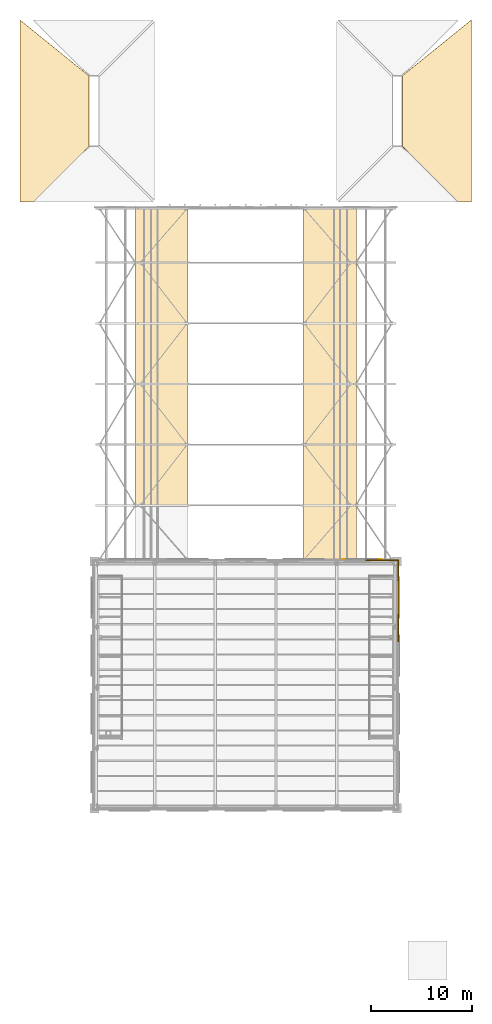
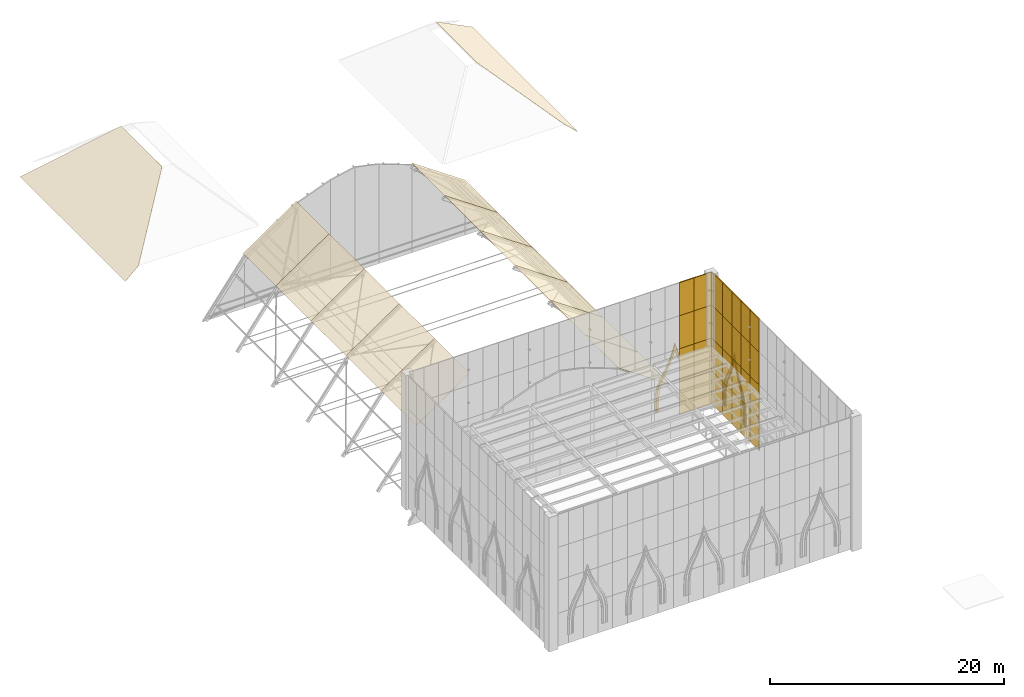
# One storey, part 43 of 43: 46 coverings.
"""IFC4 building model written with IfcOpenShell, lengths in metres."""

from ifc_helpers import new_model, si_unit, direction, frame, origin, origin_2d, place, context, subcontext, project, spatial, polyline, rectangle, outline, extrude, material, layer, layer_set, type_object, element, save


model = new_model("IFC4")

# Units and contexts
model_context = context("Model", 3, precision=1e-05, world=origin(), true_north=direction((0.0, 1.0)))
body_context = subcontext(model_context, "Body", "Model", "MODEL_VIEW")
ifc_project = project(units=[si_unit("LENGTHUNIT", "METRE"), si_unit("AREAUNIT", "SQUARE_METRE"), si_unit("VOLUMEUNIT", "CUBIC_METRE"), si_unit("PLANEANGLEUNIT", "RADIAN"), si_unit("MASSUNIT", "GRAM", prefix="KILO")], contexts=[model_context])

# Site, building, storey
site_placement = place(None, origin())
site = spatial("IfcSite", under=ifc_project, at=site_placement, CompositionType="ELEMENT")
building_placement = place(site_placement, origin())
building = spatial("IfcBuilding", under=site, at=building_placement, Name="Saffron Lane Theatres", CompositionType="ELEMENT")
storey_placement = place(building_placement, frame((0.0, 0.0, 23.0)))
storey = spatial("IfcBuildingStorey", under=building, at=storey_placement, Name="Roof", CompositionType="ELEMENT", Elevation=23.0)

# Coverings
ifc_material_1 = material(Name="Masonry sandstone", Category="masonry")
ifc_layer_1 = layer(ifc_material_1, 0.050048828125)
ifc_layer_set_1 = layer_set([ifc_layer_1], Name="Masonry sandstone")
covering_type_1 = type_object("IfcCoveringType", Name="EX-ARCH FRAME RING SANDSTONE 50", PredefinedType="CLADDING", material=ifc_layer_set_1)
covering_1_placement = place(storey_placement, frame((48.14990234375, 49.360107421875, 2.200927734375), z_axis=(-1.0, 0.0, 0.0), x_axis=(0.0, 0.022997111267, 0.999735531465)))
element("IfcCovering", 1, at=covering_1_placement, inside=storey, type_object=covering_type_1, Name="Tower arch recess ring", PredefinedType="CLADDING", context=body_context, shape_type="SweptSolid", body=[
    extrude(outline(polyline([(0.0, 0.0), (0.38218115301468625, -1.734723475976807e-18), (0.7186530208482582, 0.019366850314774177), (1.0186343483940257, 0.05544643826297682), (1.2869898132143656, 0.1073942450897903), (1.5324780807332044, 0.17378776745953742), (1.7623540583257231, 0.2515296568088426), (1.9834518756015451, 0.3404627063224047), (2.202776749349248, 0.4372511059084794), (2.429104188580111, 0.5412045804038491), (2.6697452459604945, 0.6516665418200038), (2.9314442186341365, 0.7645745664218575), (3.2242587557200446, 0.8818951430329552), (3.5539512356028933, 0.9993442299771961), (3.92979654846717, 1.1167084751480998), (4.357635676105198, 1.233120901674377), (5.015327699382706, 1.3838072212008825), (5.016068817226268, 1.4160252607891064), (4.366001324490871, 1.5967942273293279), (3.9439676199607527, 1.7327564442441374), (3.5739165011461504, 1.8672786903993477), (3.2499732990800325, 1.999763486321328), (2.9628350509323225, 2.1292038038291268), (2.7066327022651064, 2.2552462395065995), (2.4713254475467292, 2.376656532702662), (2.25001739734727, 2.490907053600263), (2.035375040883897, 2.5976780859579662), (1.8186004110288587, 2.696683600709043), (1.5925423132365129, 2.784913430450588), (1.350366617897236, 2.862524781997902), (1.084683668937017, 2.9267571785346833), (0.7866786556407508, 2.9765923628217448), (0.45145321327135296, 3.0114103972689836), (0.06967630635315561, 3.0289838734080146), (-1.1309338204231558, 3.0566017421389713), (-1.1336905542200453, 2.936760397913078), (0.0649669640963737, 2.9091874454150646), (0.44161265927823573, 2.8914877983300227), (0.771008348913546, 2.8580248928690466), (1.0600050061992816, 2.8093737503892937), (1.3186322076088624, 2.7462804794268774), (1.5528207674004981, 2.671783320030293), (1.7720952663452818, 2.5859073816214284), (1.9838116733425173, 2.4899486846716656), (2.1955419607034057, 2.383977254835837), (2.4158793212020364, 2.269993268112194), (2.6521628801503603, 2.14856051679966), (2.9122479876208893, 2.0214519444263543), (3.202264617696377, 1.8897475680517621), (3.5303121965068223, 1.7552147166748848), (3.9042236160082666, 1.618650029593896), (4.332336763859077, 1.4815711452211926), (4.59173814645036, 1.4096686780727894), (4.32930491813541, 1.3497700741784586), (3.8953414309437466, 1.232521706650183), (3.515545984926742, 1.1132946854852734), (3.181659295833679, 0.9939884370761447), (2.88589338794146, 0.8757589305845156), (2.6202386675859732, 0.7607440539311694), (2.3786213059756434, 0.6503045506314862), (2.1532757855038445, 0.5465726940771315), (1.9368966680333337, 0.45044914831410154), (1.7209693641976722, 0.363350802148956), (1.4980005050933094, 0.28862469473167457), (1.26061166370447, 0.2239985013609291), (0.999379320784183, 0.17384048164958885), (0.7084512654818893, 0.13852946035397), (0.37786529567358396, 0.12024824162779892), (0.0008041253369972031, 0.11988626045883645), (-1.197853392979422, 0.1474592129568499), (-1.2006101267763114, 0.027617868730956684), (0.0, 0.0)])), origin(), (0.0, 0.0, -1.0), 0.050048828125),
])
covering_2_placement = place(storey_placement, frame((48.14990234375, 49.10009765625, 2.200927734375), z_axis=(-1.0, 0.0, 0.0), x_axis=(0.0, 0.027312211802, 0.999626951961)))
element("IfcCovering", 2, at=covering_2_placement, inside=storey, type_object=covering_type_1, Name="Tower arch recess ring", PredefinedType="CLADDING", context=body_context, shape_type="SweptSolid", body=[
    extrude(outline(polyline([(0.0, 0.0), (0.40224966782484456, 0.0), (0.7569683522101139, 0.021325663033647923), (1.0741287445550716, 0.06248335251801053), (1.35881587726215, 0.12186874273052645), (1.6190700494014425, 0.1987736898983943), (1.8625674861259525, 0.28810382639053816), (2.095442766258442, 0.39091269943956275), (2.326605698736925, 0.5025607004097316), (2.5641165866928755, 0.6230718341746991), (2.816654525556407, 0.7483012592168254), (3.0903407581093636, 0.8788144236710781), (3.396084165823525, 1.0116267215797745), (3.73970192974778, 1.1451138231589746), (4.131457466973427, 1.2794837706470155), (4.5793177283455035, 1.4113438752340919), (5.367965845758813, 1.6088719789106471), (5.369059401114175, 1.6488961049168909), (4.592373712405251, 1.8891928918208298), (4.152381715175411, 2.0453112548396524), (3.7685211141738404, 2.1998959731527847), (3.432731606269066, 2.352923041886572), (3.1346964302061133, 2.5022320224121297), (2.8685450607724188, 2.6474948481228484), (2.6232219200460913, 2.7863270349024023), (2.3926191012862073, 2.9186512337134616), (2.1679241486534617, 3.043731295097295), (1.9409834067299485, 3.1581265204967868), (1.702753706168462, 3.2615955275713047), (1.4470871321053216, 3.352596669990605), (1.166067410650981, 3.4274385316282965), (0.851627570653509, 3.4858530580619056), (0.4986025634649585, 3.5265159804281714), (0.09695301748147107, 3.5484804398218417), (-1.1035267131570188, 3.5812804324622376), (-1.1089878219133684, 3.3814038519798384), (0.0895395123345729, 3.3486572035031186), (0.4811830268164994, 3.326966132948289), (0.8223029502766167, 3.2885823399750875), (1.1216650624110143, 3.2325336272005174), (1.3878844456533965, 3.1612711589454983), (1.6297735558430695, 3.075531084668762), (1.8552019907263628, 2.9772964736549703), (2.0741757818048376, 2.866293937065284), (2.2948285804350204, 2.745232024810359), (2.5244552009996295, 2.612934498081138), (2.770701195757555, 2.4721232428291975), (3.0417068840857833, 2.3257508585140143), (3.3457366105418473, 2.172370384695872), (3.68949306929166, 2.0159506271522787), (4.08132728915873, 1.8582172695781594), (4.529048855705248, 1.6989569353188092), (4.696888265087821, 1.6472344342183776), (4.526474999807872, 1.6047538094748455), (4.070725136628087, 1.4701784869566512), (3.6708359480459136, 1.3330999895579518), (3.3190778647446724, 1.1966602885192745), (3.0071265299826946, 1.0601098983409696), (2.7285059622896903, 0.9277776979053588), (2.4749651531490464, 0.8015987467497964), (2.2384571354702087, 0.6820371390982651), (2.011496389485317, 0.5722281781708328), (1.7868147728934902, 0.47432430097183365), (1.5563586505837161, 0.38854555217643194), (1.310148663136272, 0.3161415188187424), (1.0404352371730994, 0.2595220234928368), (0.7384592610185687, 0.21990331313053224), (0.3957256766072468, 0.1992271152896419), (0.0035087123658012432, 0.19992992464607567), (-1.1950186218821401, 0.23267657312279538), (-1.2004797306384898, 0.03279999264039589), (0.0, 0.0)])), origin(), (0.0, 0.0, -1.0), 0.050048828125),
])
covering_3_placement = place(storey_placement, frame((48.14990234375, 48.89990234375, 2.200927734375), z_axis=(-1.0, 0.0, 0.0), x_axis=(0.0, 0.029193159722, 0.999573788885)))
element("IfcCovering", 3, at=covering_3_placement, inside=storey, type_object=covering_type_1, Name="Tower arch recess ring", PredefinedType="CLADDING", context=body_context, shape_type="SweptSolid", body=[
    extrude(outline(polyline([(0.0, 0.0), (0.41814696888594205, 1.734723475976807e-18), (0.789125603111909, 0.02409233927534542), (1.117551215790607, 0.07140949062843514), (1.4138389798139064, 0.13896058063500577), (1.684291082572596, 0.22509608173497841), (1.937363277165871, 0.32663810182462005), (2.179867205832405, 0.44265496857998693), (2.421715713852443, 0.5696819899102323), (2.6709334990761593, 0.7065078207405595), (2.935237077657832, 0.849731914106464), (3.222629765738853, 0.9974108152244933), (3.5441217178941016, 1.1501999447411422), (3.9056855581096905, 1.3035284634979691), (4.31752805888924, 1.4556328081547305), (4.787967845306298, 1.607002762387233), (5.517225804189668, 1.8057688377505887), (5.517753219672928, 1.8238275438974325), (4.8013385405305815, 2.0648153668666795), (4.340506268592379, 2.242406708390198), (3.938271282291685, 2.4192636594894568), (3.58627219313739, 2.5934322170713386), (3.274216701790751, 2.7637475056414638), (2.995961130595407, 2.9289234866890266), (2.740466816031439, 3.087328593289325), (2.499659169594852, 3.238465914530292), (2.2656363669885993, 3.379391046568081), (2.0302881835273854, 3.5083868956428654), (1.7836019926233202, 3.625501641871766), (1.518637861785045, 3.72727429932679), (1.2267974931881596, 3.8120020287206327), (0.9016931726067514, 3.878405918778749), (0.5327529279512241, 3.9241080383952593), (0.11531868269130997, 3.9485116953504535), (-1.0850972029347026, 3.9835705705147646), (-1.0891882365481025, 3.8434935795919487), (0.10927535652149442, 3.80849172231772), (0.5208598513484222, 3.7845031556023243), (0.8786029227496011, 3.7401050351319944), (1.1939956712027533, 3.6756944905111526), (1.4737268653934252, 3.5944955983344995), (1.7278305136182879, 3.4971922881935713), (1.9656013872290956, 3.3842458348191324), (2.1961258571893527, 3.2573448230259685), (2.426057056003304, 3.1184931465610197), (2.665924192342985, 2.968604517112854), (2.9233351632820677, 2.8089222097747135), (3.2054668106452016, 2.6426560466687783), (3.5215853968391, 2.4692911562476056), (3.8796212551058513, 2.292748088633249), (4.287627592240669, 2.11279164502912), (4.753527614249379, 1.9330983389877205), (5.066509931399305, 1.8279693234330057), (4.7479256065488, 1.7412855953198925), (4.27230403428107, 1.5881130204924403), (3.8545191289971497, 1.4332512906713022), (3.4867902294164193, 1.277904623695015), (3.161092637688706, 1.123284364638375), (2.8697098376597303, 0.9727910604658873), (2.603446839285382, 0.8293799484205129), (2.3552408365211748, 0.6937457914929044), (2.1175979680736017, 0.5685498997026498), (1.8800602976332301, 0.4553189270567006), (1.6361029829485005, 0.356441638060052), (1.3767536888360727, 0.2741340330107499), (1.092760407361754, 0.20939905659534055), (0.774146148118956, 0.1635050717787033), (0.41442170503741954, 0.14006102591359282), (0.0021387410569844428, 0.14013400881289806), (-1.1963248520126126, 0.17513586608712695), (-1.2004158856260125, 0.03505887516431111), (0.0, 0.0)])), origin(), (0.0, 0.0, -1.0), 0.050048828125),
])
covering_4_placement = place(storey_placement, frame((42.720947265625, 54.64990234375, 2.60107421875), z_axis=(0.0, -1.0, 0.0), x_axis=(-0.027445423218, 0.0, -0.999623303422)))
element("IfcCovering", 4, at=covering_4_placement, inside=storey, type_object=covering_type_1, Name="Tower arch recess ring", PredefinedType="CLADDING", context=body_context, shape_type="SweptSolid", body=[
    extrude(outline(polyline([(0.0, 0.0), (0.4002972749886543, 0.0), (1.60077262399574, 0.03295996992392853), (1.5952848794607335, 0.23283582087672447), (0.39676191971814384, 0.19992945529501824), (0.005521247248895529, 0.1992011807455482), (-0.3350186515351066, 0.21989201014049903), (-0.6362744592205554, 0.25973462870481856), (-0.9050192333481872, 0.3163449833181706), (-1.1499851212660126, 0.3875294651760587), (-1.3804526725231665, 0.473277502310989), (-1.604171139292633, 0.5711782394315141), (-1.8304143705807694, 0.6809770559120782), (-2.0656912736419164, 0.7995644532009369), (-2.31924889531132, 0.9257096160402862), (-2.5968907990402466, 1.057299342138963), (-2.907850630578386, 1.1926147189230394), (-3.2586775004367463, 1.3300105397891429), (-3.6575886564761024, 1.4663304023860844), (-4.111377257865525, 1.5999223995677143), (-4.280569238825531, 1.642169768484506), (-4.113956966834973, 1.6938811329215928), (-3.668182214607782, 1.852171330782141), (-3.2773452126156575, 2.0099301011499358), (-2.9345857962617514, 2.166368864590507), (-2.6314991024875107, 2.3178106610293066), (-2.361515919153593, 2.4651685510955206), (-2.1152618891119763, 2.605036425543775), (-1.8868463418552817, 2.7363548541104272), (-1.666968626206042, 2.8584022627887835), (-1.4489590218832489, 2.968430982337101), (-1.2235436798805455, 3.0666956333809354), (-0.9828527382549475, 3.151214195366617), (-0.7176190485428754, 3.2224853375777642), (-0.4190032547118743, 3.2787978902898818), (-0.08011168945120746, 3.318143030778188), (0.31057953851026243, 3.338883295288744), (1.509102498252852, 3.37178966087045), (1.5036147537178453, 3.571665511823246), (0.3031394047107597, 3.5387055418993176), (-0.0965548214278939, 3.516741162673736), (-0.4495744066850469, 3.4760311960720696), (-0.762047369683361, 3.4173843231571226), (-1.042087621023883, 3.342775863939786), (-1.2967926734187447, 3.2527436486536896), (-1.5340256882681536, 3.1490256491944417), (-1.7609578842547968, 3.0348442310343535), (-1.985662968723055, 2.910710422235945), (-2.215027908440886, 2.778388996865934), (-2.45838015675687, 2.6395777235632614), (-2.724538968075129, 2.4952556260782357), (-3.020357806449731, 2.345967235187266), (-3.3563977696051235, 2.1938649141315274), (-3.7392615723945344, 2.039255845572144), (-4.177280371905962, 1.8831324543449808), (-4.9520084443458074, 1.6437619663494585), (-4.9509095553302505, 1.603737986427287), (-4.164214313489279, 1.4072375711240381), (-3.7182888735000645, 1.2753835458380154), (-3.327525130775644, 1.142259246542275), (-2.983638832027465, 1.0085805890073858), (-2.680074166201742, 0.8757487311786581), (-2.4063973458868078, 0.7462482343180951), (-2.155768308114148, 0.6200226649654124), (-1.9195152104207531, 0.5014620698476648), (-1.688337401629154, 0.3898448749581602), (-1.455481925826948, 0.28828727939142085), (-1.2129152789264217, 0.19774254703329958), (-0.9536538574426654, 0.12182167483722059), (-0.6699417086599169, 0.06269146943656922), (-0.3547215231227106, 0.02127839254608732), (0.0, 0.0)])), origin(), (0.0, 0.0, -1.0), 0.050048828125),
])
covering_5_placement = place(storey_placement, frame((42.52197265625, 54.64990234375, 2.617919921875), z_axis=(0.0, -1.0, 0.0), x_axis=(-0.028676726094, 0.0, -0.999588738122)))
element("IfcCovering", 5, at=covering_5_placement, inside=storey, type_object=covering_type_1, Name="Tower arch recess ring", PredefinedType="CLADDING", context=body_context, shape_type="SweptSolid", body=[
    extrude(outline(polyline([(0.0, 0.0), (0.41716375104764425, 0.0), (1.6175975896273929, 0.034438675696960006), (1.6135859284819654, 0.1742737213375772), (0.4151044116563614, 0.1398910548712689), (0.005010825813660432, 0.14033812855164937), (-0.35494549711227735, 0.16396102174383417), (-0.671332639580196, 0.2098385826365695), (-0.9552924378304503, 0.274720275522391), (-1.2138740536064891, 0.35742690606311395), (-1.4567760852945528, 0.4554820661320671), (-1.6930000163922352, 0.5676505521604138), (-1.930822210893157, 0.6929622042600804), (-2.177744905210146, 0.8290036246888783), (-2.441974451798508, 0.972364251366053), (-2.733495496186741, 1.1220249163267102), (-3.056888793310287, 1.2759002758939073), (-3.4235612230902626, 1.4314649138641529), (-3.8400458622162548, 1.5865774773298524), (-4.314828109131995, 1.7390406041527604), (-4.631415284566527, 1.825944926497861), (-4.320331016043524, 1.9308562164974814), (-3.8550703383385714, 2.1102877878791797), (-3.448135273038693, 2.288046083495159), (-3.0909844124695054, 2.4643761437295195), (-2.776972661480118, 2.637514677981567), (-2.4945111101497965, 2.8036420567538216), (-2.238941990850953, 2.962159181311278), (-2.0002176476706053, 3.111888857645417), (-1.769970701615325, 3.250628722793827), (-1.5405658943494862, 3.3761554103326024), (-1.3036848549564797, 3.487974838834209), (-1.0502700907080593, 3.585369890113339), (-0.7704969824490192, 3.666424248349837), (-0.4572603592052583, 3.730364786127743), (-0.09925735819829837, 3.7748291141113564), (0.31014311341508793, 3.7985420221385167), (1.5086246302406918, 3.8329246886048254), (1.5046129690952643, 3.9727597342454426), (0.30417913051551565, 3.9383210585484822), (-0.11229850745664535, 3.9144051170602094), (-0.47930999311503036, 3.8689496257270277), (-0.8044415767184447, 3.8024696694379667), (-1.094136320121499, 3.718199781263162), (-1.358448880391006, 3.6175611954303997), (-1.6042123836664715, 3.5003578796323986), (-1.839634182568035, 3.3717276806166194), (-2.073485722681685, 3.2309304764065927), (-2.312447104927469, 3.0809497586993544), (-2.5680512299954703, 2.923652835238239), (-2.8454159413364875, 2.758648641573517), (-3.155635067278889, 2.589526769291062), (-3.5077240936279295, 2.415540095260575), (-3.9078820420189535, 2.239930153706022), (-4.367097723472856, 2.062625932924255), (-5.082416612246459, 1.8220432834840707), (-5.081898526862931, 1.803984307258232), (-4.353963558885034, 1.6048064815773124), (-3.885338326681647, 1.4541206476627628), (-3.47577782869497, 1.3019845747402674), (-3.114286252750276, 1.148225234293706), (-2.7948886141348286, 0.9974103791156907), (-2.50851341781272, 0.8483348105823771), (-2.244311875839684, 0.7059503447822748), (-1.9971451413034267, 0.5699159255073083), (-1.7556063342828319, 0.44275696896096894), (-1.5131693792421437, 0.3268588682701192), (-1.2611188398260256, 0.2249140671653726), (-0.991471400336945, 0.1395940059158483), (-0.6974219392507215, 0.0720708777058996), (-0.36901381565418306, 0.024340011377493066), (0.0, 0.0)])), origin(), (0.0, 0.0, -1.0), 0.050048828125),
])
ifc_material_2 = material(Name="Masonry perforated pale clay brick", Category="masonry")
ifc_layer_2 = layer(ifc_material_2, 0.10009765625)
ifc_layer_set_2 = layer_set([ifc_layer_2], Name="Masonry perforated pale clay brick")
covering_type_2 = type_object("IfcCoveringType", Name="EX-CLADDING PANEL PERFORATED BRICK 100", PredefinedType="CLADDING", material=ifc_layer_set_2)
for number, where, z_axis, x_axis, name in (
    (6, (45.59375, 54.60009765625, 0.10009765625), (0.0, 0.0, 1.0), (1.0, 0.0, 0.0), "Tower panel N153"),
    (7, (45.59375, 54.60009765625, 3.53759765625), (0.0, 0.0, 1.0), (1.0, 0.0, 0.0), "Tower panel N154"),
    (8, (45.59375, 54.60009765625, 6.97509765625), (0.0, 0.0, 1.0), (1.0, 0.0, 0.0), "Tower panel N155"),
    (9, (45.59375, 54.60009765625, 10.41259765625), (0.0, 0.0, 1.0), (1.0, 0.0, 0.0), "Tower panel N156"),
):
    element("IfcCovering", number, at=place(storey_placement, frame(where, z_axis=z_axis, x_axis=x_axis)), inside=storey, type_object=covering_type_2, Name=name, PredefinedType="CLADDING", context=body_context, shape_type="SweptSolid", body=[
        extrude(rectangle(XDim=1.4375, YDim=0.10009765625, at=origin_2d()), origin(), (0.0, 0.0, 1.0), 3.4375),
    ])
for number, where, z_axis, x_axis, name in (
    (10, (47.231201171875, 54.60009765625, 0.10009765625), (0.0, 0.0, 1.0), (1.0, 0.0, 0.0), "Tower panel N157"),
    (11, (47.231201171875, 54.60009765625, 3.53759765625), (0.0, 0.0, 1.0), (1.0, 0.0, 0.0), "Tower panel N158"),
    (12, (47.231201171875, 54.60009765625, 6.97509765625), (0.0, 0.0, 1.0), (1.0, 0.0, 0.0), "Tower panel N159"),
    (13, (47.231201171875, 54.60009765625, 10.41259765625), (0.0, 0.0, 1.0), (1.0, 0.0, 0.0), "Tower panel N160"),
):
    element("IfcCovering", number, at=place(storey_placement, frame(where, z_axis=z_axis, x_axis=x_axis)), inside=storey, type_object=covering_type_2, Name=name, PredefinedType="CLADDING", context=body_context, shape_type="SweptSolid", body=[
        extrude(rectangle(XDim=1.83740234375, YDim=0.10009765625, at=origin_2d()), origin(), (0.0, 0.0, 1.0), 3.4375),
    ])
for number, where, z_axis, x_axis, name in (
    (14, (48.10009765625, 47.25, 0.10009765625), (0.0, 0.0, 1.0), (0.0, 1.0, 0.0), "Tower panel E269"),
    (15, (48.10009765625, 47.25, 3.53759765625), (0.0, 0.0, 1.0), (0.0, 1.0, 0.0), "Tower panel E270"),
    (16, (48.10009765625, 47.25, 6.97509765625), (0.0, 0.0, 1.0), (0.0, 1.0, 0.0), "Tower panel E271"),
    (17, (48.10009765625, 47.25, 10.41259765625), (0.0, 0.0, 1.0), (0.0, 1.0, 0.0), "Tower panel E272"),
):
    element("IfcCovering", number, at=place(storey_placement, frame(where, z_axis=z_axis, x_axis=x_axis)), inside=storey, type_object=covering_type_2, Name=name, PredefinedType="CLADDING", context=body_context, shape_type="SweptSolid", body=[
        extrude(rectangle(XDim=1.5, YDim=0.10009765625, at=origin_2d()), origin(), (0.0, 0.0, 1.0), 3.4375),
    ])
for number, where, z_axis, x_axis, name in (
    (18, (48.10009765625, 48.78125, 0.10009765625), (0.0, 0.0, 1.0), (0.0, 1.0, 0.0), "Tower panel E273"),
    (19, (48.10009765625, 48.78125, 3.53759765625), (0.0, 0.0, 1.0), (0.0, 1.0, 0.0), "Tower panel E274"),
    (20, (48.10009765625, 48.78125, 6.97509765625), (0.0, 0.0, 1.0), (0.0, 1.0, 0.0), "Tower panel E275"),
    (21, (48.10009765625, 48.78125, 10.41259765625), (0.0, 0.0, 1.0), (0.0, 1.0, 0.0), "Tower panel E276"),
    (22, (48.10009765625, 50.34375, 0.10009765625), (0.0, 0.0, 1.0), (0.0, 1.0, 0.0), "Tower panel E277"),
    (23, (48.10009765625, 50.34375, 3.53759765625), (0.0, 0.0, 1.0), (0.0, 1.0, 0.0), "Tower panel E278"),
    (24, (48.10009765625, 50.34375, 6.97509765625), (0.0, 0.0, 1.0), (0.0, 1.0, 0.0), "Tower panel E279"),
    (25, (48.10009765625, 50.34375, 10.41259765625), (0.0, 0.0, 1.0), (0.0, 1.0, 0.0), "Tower panel E280"),
    (26, (48.10009765625, 51.90625, 0.10009765625), (0.0, 0.0, 1.0), (0.0, 1.0, 0.0), "Tower panel E281"),
    (27, (48.10009765625, 51.90625, 3.53759765625), (0.0, 0.0, 1.0), (0.0, 1.0, 0.0), "Tower panel E282"),
    (28, (48.10009765625, 51.90625, 6.97509765625), (0.0, 0.0, 1.0), (0.0, 1.0, 0.0), "Tower panel E283"),
    (29, (48.10009765625, 51.90625, 10.41259765625), (0.0, 0.0, 1.0), (0.0, 1.0, 0.0), "Tower panel E284"),
):
    element("IfcCovering", number, at=place(storey_placement, frame(where, z_axis=z_axis, x_axis=x_axis)), inside=storey, type_object=covering_type_2, Name=name, PredefinedType="CLADDING", context=body_context, shape_type="SweptSolid", body=[
        extrude(rectangle(XDim=1.5625, YDim=0.10009765625, at=origin_2d()), origin(), (0.0, 0.0, 1.0), 3.4375),
    ])
for number, where, z_axis, x_axis, name in (
    (30, (48.10009765625, 53.61865234375, 0.10009765625), (0.0, 0.0, 1.0), (0.0, 1.0, 0.0), "Tower panel E285"),
    (31, (48.10009765625, 53.61865234375, 3.53759765625), (0.0, 0.0, 1.0), (0.0, 1.0, 0.0), "Tower panel E286"),
    (32, (48.10009765625, 53.61865234375, 6.97509765625), (0.0, 0.0, 1.0), (0.0, 1.0, 0.0), "Tower panel E287"),
    (33, (48.10009765625, 53.61865234375, 10.41259765625), (0.0, 0.0, 1.0), (0.0, 1.0, 0.0), "Tower panel E288"),
):
    element("IfcCovering", number, at=place(storey_placement, frame(where, z_axis=z_axis, x_axis=x_axis)), inside=storey, type_object=covering_type_2, Name=name, PredefinedType="CLADDING", context=body_context, shape_type="SweptSolid", body=[
        extrude(rectangle(XDim=1.862548828125, YDim=0.10009765625, at=origin_2d()), origin(), (0.0, 0.0, 1.0), 3.4375),
    ])
ifc_material_3 = material(Name="Zinc standing seam roofing", Category="metal")
ifc_layer_3 = layer(ifc_material_3, 0.02001953125)
ifc_layer_set_3 = layer_set([ifc_layer_3], Name="Zinc standing seam roofing")
covering_type_3 = type_object("IfcCoveringType", Name="ST-ZINC ROOFING", PredefinedType="ROOFING", material=ifc_layer_set_3)
covering_6_placement = place(storey_placement, frame((38.687744140625, 54.375, 7.262939453125), z_axis=(0.567360520868, 0.0, 0.823469513315), x_axis=(0.823469513315, 0.0, -0.567360520868)))
element("IfcCovering", 34, at=covering_6_placement, inside=storey, type_object=covering_type_3, Name="VZ1G", PredefinedType="ROOFING", context=body_context, shape_type="SweptSolid", body=[
    extrude(outline(polyline([(0.0, 0.0), (6.388805223575968, 0.0), (6.388805223575968, 5.625), (0.0, 5.625), (0.0, 0.0)])), origin(), (0.0, 0.0, -1.0), 0.02001953125),
])
for number, where, z_axis, x_axis, name in (
    (35, (22.05126953125, 60.0, 3.63818359375), (-0.567360520868, 0.0, 0.823469513315), (0.823469513315, 0.0, 0.567360520868), "VZ2B"),
    (36, (38.687744140625, 60.0, 7.262939453125), (0.567360520868, 0.0, 0.823469513315), (0.823469513315, 0.0, -0.567360520868), "VZ2G"),
    (37, (22.05126953125, 66.0, 3.63818359375), (-0.567360520868, 0.0, 0.823469513315), (0.823469513315, 0.0, 0.567360520868), "VZ3B"),
    (38, (38.687744140625, 66.0, 7.262939453125), (0.567360520868, 0.0, 0.823469513315), (0.823469513315, 0.0, -0.567360520868), "VZ3G"),
    (39, (22.05126953125, 72.0, 3.63818359375), (-0.567360520868, 0.0, 0.823469513315), (0.823469513315, 0.0, 0.567360520868), "VZ4B"),
    (40, (38.687744140625, 72.0, 7.262939453125), (0.567360520868, 0.0, 0.823469513315), (0.823469513315, 0.0, -0.567360520868), "VZ4G"),
    (41, (22.05126953125, 78.0, 3.63818359375), (-0.567360520868, 0.0, 0.823469513315), (0.823469513315, 0.0, 0.567360520868), "VZ5B"),
    (42, (38.687744140625, 78.0, 7.262939453125), (0.567360520868, 0.0, 0.823469513315), (0.823469513315, 0.0, -0.567360520868), "VZ5G"),
):
    element("IfcCovering", number, at=place(storey_placement, frame(where, z_axis=z_axis, x_axis=x_axis)), inside=storey, type_object=covering_type_3, Name=name, PredefinedType="ROOFING", context=body_context, shape_type="SweptSolid", body=[
        extrude(outline(polyline([(0.0, 0.0), (6.388805223575968, 0.0), (6.388805223575968, 6.000000000000002), (0.0, 6.000000000000002), (0.0, 0.0)])), origin(), (0.0, 0.0, -1.0), 0.02001953125),
    ])
for number, where, z_axis, x_axis, name in (
    (43, (22.05126953125, 84.0, 3.63818359375), (-0.567360520868, 0.0, 0.823469513315), (0.823469513315, 0.0, 0.567360520868), "VZ6B"),
    (44, (38.687744140625, 84.0, 7.262939453125), (0.567360520868, 0.0, 0.823469513315), (0.823469513315, 0.0, -0.567360520868), "VZ6G"),
):
    element("IfcCovering", number, at=place(storey_placement, frame(where, z_axis=z_axis, x_axis=x_axis)), inside=storey, type_object=covering_type_3, Name=name, PredefinedType="ROOFING", context=body_context, shape_type="SweptSolid", body=[
        extrude(outline(polyline([(0.0, 0.0), (6.388805223575968, 0.0), (6.388805223575968, 5.600097656250001), (0.0, 5.600097656250001), (0.0, 0.0)])), origin(), (0.0, 0.0, -1.0), 0.02001953125),
    ])
covering_7_placement = place(storey_placement, frame((10.6865234375, 90.0, 4.4580078125), z_axis=(-0.677087289628, -2.953407e-06, 0.735902712466), x_axis=(-1.999714e-06, 0.999999999996, 2.17342e-06)))
element("IfcCovering", 45, at=covering_7_placement, inside=storey, type_object=covering_type_3, Name="BK1-Z3", PredefinedType="ROOFING", context=body_context, shape_type="SweptSolid", body=[
    extrude(outline(polyline([(0.0, 0.0), (17.999999999921496, -7.623296525288703e-21), (12.499999999993458, -9.2404331596167), (5.500000000023988, -9.2404331596167), (-2.1806535347850212e-10, -1.766536273389405), (0.0, 0.0)])), origin(), (0.0, 0.0, -1.0), 0.02001953125),
])
covering_8_placement = place(storey_placement, frame((55.3134765625, 90.0, 4.4580078125), z_axis=(0.677087289628, -2.953407e-06, 0.735902712466), x_axis=(1.999714e-06, 0.999999999996, 2.17342e-06)))
element("IfcCovering", 46, at=covering_8_placement, inside=storey, type_object=covering_type_3, Name="BK3-Z4", PredefinedType="ROOFING", context=body_context, shape_type="SweptSolid", body=[
    extrude(outline(polyline([(0.0, 0.0), (17.999999999921496, 7.623296525288703e-21), (12.499999999993458, 9.2404331596167), (5.500000000023988, 9.2404331596167), (-2.1806535347850212e-10, 1.766536273389405), (0.0, 0.0)])), origin(), (0.0, 0.0, -1.0), 0.02001953125),
])

save(model, "model.ifc")
